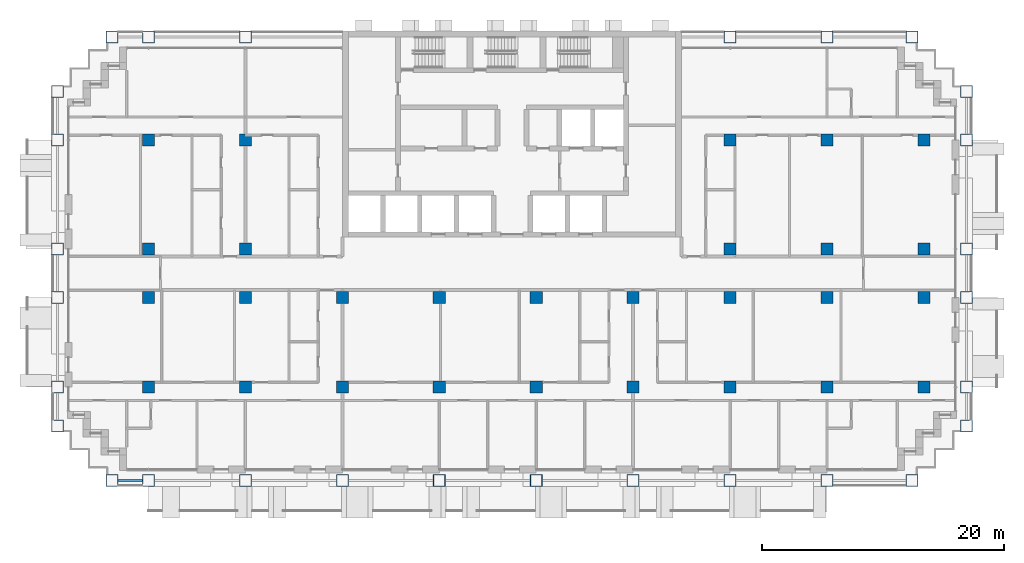
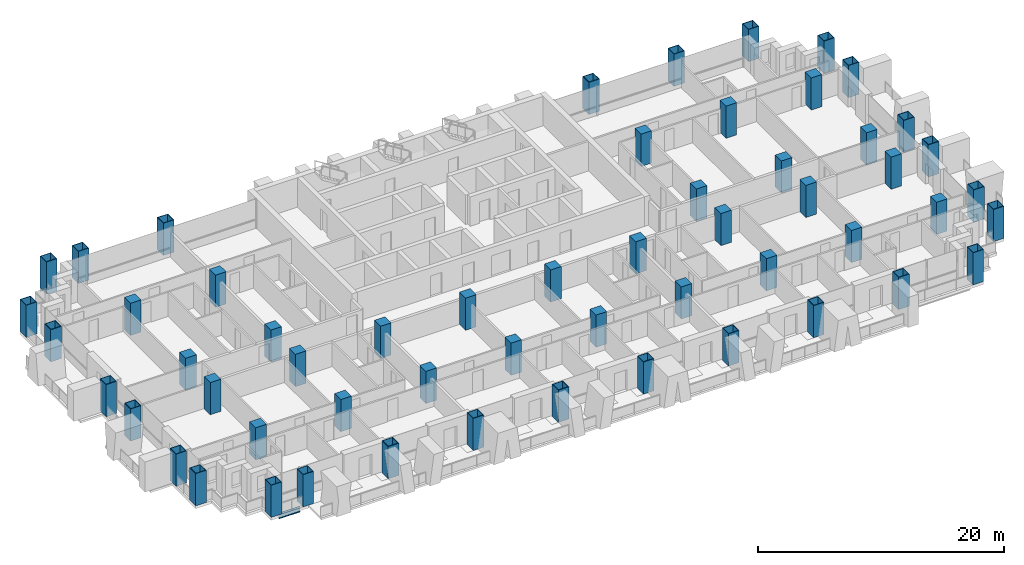
# One storey, part 1 of 18: 56 columns, 1 beam.
"""IFC4 building model written with IfcOpenShell, lengths in metres."""

from ifc_helpers import new_model, si_unit, direction, frame, origin, origin_2d, place, context, subcontext, project, spatial, rectangle, hollow_rectangle, i_section, extrude, material, material_profile, profile_set, type_object, element, save


model = new_model("IFC4")

# Units and contexts
model_context = context("Model", 3, precision=1e-05, world=origin(), true_north=direction((0.0, 1.0)))
body_context = subcontext(model_context, "Body", "Model", "MODEL_VIEW")
ifc_project = project(units=[si_unit("LENGTHUNIT", "METRE"), si_unit("AREAUNIT", "SQUARE_METRE"), si_unit("VOLUMEUNIT", "CUBIC_METRE"), si_unit("PLANEANGLEUNIT", "RADIAN"), si_unit("MASSUNIT", "GRAM", prefix="KILO")], contexts=[model_context])

# Site, building, storey
site_placement = place(None, origin())
site = spatial("IfcSite", under=ifc_project, at=site_placement, CompositionType="ELEMENT")
building_placement = place(site_placement, origin())
building = spatial("IfcBuilding", under=site, at=building_placement, Name="Vidyagriha Tower", CompositionType="ELEMENT")
storey_placement = place(building_placement, frame((0.0, 0.0, 51.199951171875)))
storey = spatial("IfcBuildingStorey", under=building, at=storey_placement, Name="L13", CompositionType="ELEMENT", Elevation=51.199951171875)

# Columns
ifc_material_1 = material(Name="Steel ASTM A572 Grade 50", Category="steel")
ifc_material_profile_1 = material_profile(ifc_material_1, hollow_rectangle(XDim=1.0, YDim=1.0, WallThickness=0.050048828125, at=origin_2d()), Name="BOX 1000x1000x50")
ifc_profile_set_1 = profile_set([ifc_material_profile_1], Name="Steel ASTM A572 Grade 50")
column_type_1 = type_object("IfcColumnType", Name="Exoskeleton column BOX 1000x1000x50", PredefinedType="COLUMN", material=ifc_profile_set_1)
for number, where, name in (
    (1, (-33.0, -17.10009765625, 0.0), "st-col-L13-B1-001"),
    (2, (-30.0, -17.10009765625, 0.0), "st-col-L13-B1-002"),
    (3, (-22.0, -17.10009765625, 0.0), "st-col-L13-B1-003"),
    (4, (-14.0, -17.10009765625, 0.0), "st-col-L13-B1-004"),
    (5, (-6.0, -17.10009765625, 0.0), "st-col-L13-B1-005"),
    (6, (2.0, -17.10009765625, 0.0), "st-col-L13-B1-006"),
    (7, (10.0, -17.10009765625, 0.0), "st-col-L13-B1-007"),
    (8, (18.0, -17.10009765625, 0.0), "st-col-L13-B1-008"),
    (9, (26.0, -17.10009765625, 0.0), "st-col-L13-B1-009"),
    (10, (33.0, -17.10009765625, 0.0), "st-col-L13-B1-010"),
    (11, (-37.5, -12.60009765625, 0.0), "st-col-L13-B1-011"),
    (12, (37.5, -12.60009765625, 0.0), "st-col-L13-B1-012"),
    (13, (-37.5, -9.39990234375, 0.0), "st-col-L13-B1-013"),
    (14, (37.5, -9.39990234375, 0.0), "st-col-L13-B1-023"),
    (15, (-37.5, -2.0, 0.0), "st-col-L13-B1-024"),
    (16, (37.5, -2.0, 0.0), "st-col-L13-B1-034"),
    (17, (-37.5, 2.0, 0.0), "st-col-L13-B1-035"),
    (18, (37.5, 2.0, 0.0), "st-col-L13-B1-041"),
    (19, (-37.5, 11.0, 0.0), "st-col-L13-B1-042"),
    (20, (37.5, 11.0, 0.0), "st-col-L13-B1-048"),
    (21, (-37.5, 15.0, 0.0), "st-col-L13-B1-049"),
    (22, (37.5, 15.0, 0.0), "st-col-L13-B1-050"),
    (23, (-33.0, 19.5, 0.0), "st-col-L13-B1-051"),
    (24, (-30.0, 19.5, 0.0), "st-col-L13-B1-052"),
    (25, (-22.0, 19.5, 0.0), "st-col-L13-B1-053"),
    (26, (18.0, 19.5, 0.0), "st-col-L13-B1-054"),
    (27, (26.0, 19.5, 0.0), "st-col-L13-B1-055"),
    (28, (33.0, 19.5, 0.0), "st-col-L13-B1-056"),
):
    element("IfcColumn", number, at=place(storey_placement, frame(where)), inside=storey, type_object=column_type_1, Name=name, PredefinedType="COLUMN", context=body_context, shape_type="SweptSolid", body=[
        extrude(hollow_rectangle(XDim=1.0, YDim=1.0, WallThickness=0.050048828125, at=origin_2d()), origin(), (0.0, 0.0, 1.0), 3.199951171875),
    ])
ifc_material_2 = material(Name="Concrete C80/95", Category="concrete")
ifc_material_profile_2 = material_profile(ifc_material_2, rectangle(XDim=1.0, YDim=1.0, at=origin_2d()), Name="RC 1000x1000")
ifc_profile_set_2 = profile_set([ifc_material_profile_2], Name="Concrete C80/95")
column_type_2 = type_object("IfcColumnType", Name="Frame column RC 1000x1000", PredefinedType="COLUMN", material=ifc_profile_set_2)
for number, where, name in (
    (29, (-30.0, -9.39990234375, 0.0), "st-col-L13-B1-014"),
    (30, (-22.0, -9.39990234375, 0.0), "st-col-L13-B1-015"),
    (31, (-14.0, -9.39990234375, 0.0), "st-col-L13-B1-016"),
    (32, (-6.0, -9.39990234375, 0.0), "st-col-L13-B1-017"),
    (33, (2.0, -9.39990234375, 0.0), "st-col-L13-B1-018"),
    (34, (10.0, -9.39990234375, 0.0), "st-col-L13-B1-019"),
    (35, (18.0, -9.39990234375, 0.0), "st-col-L13-B1-020"),
    (36, (26.0, -9.39990234375, 0.0), "st-col-L13-B1-021"),
    (37, (34.0, -9.39990234375, 0.0), "st-col-L13-B1-022"),
    (38, (-30.0, -2.0, 0.0), "st-col-L13-B1-025"),
    (39, (-22.0, -2.0, 0.0), "st-col-L13-B1-026"),
    (40, (-14.0, -2.0, 0.0), "st-col-L13-B1-027"),
    (41, (-6.0, -2.0, 0.0), "st-col-L13-B1-028"),
    (42, (2.0, -2.0, 0.0), "st-col-L13-B1-029"),
    (43, (10.0, -2.0, 0.0), "st-col-L13-B1-030"),
    (44, (18.0, -2.0, 0.0), "st-col-L13-B1-031"),
    (45, (26.0, -2.0, 0.0), "st-col-L13-B1-032"),
    (46, (34.0, -2.0, 0.0), "st-col-L13-B1-033"),
    (47, (-30.0, 2.0, 0.0), "st-col-L13-B1-036"),
    (48, (-22.0, 2.0, 0.0), "st-col-L13-B1-037"),
    (49, (18.0, 2.0, 0.0), "st-col-L13-B1-038"),
    (50, (26.0, 2.0, 0.0), "st-col-L13-B1-039"),
    (51, (34.0, 2.0, 0.0), "st-col-L13-B1-040"),
    (52, (-30.0, 11.0, 0.0), "st-col-L13-B1-043"),
    (53, (-22.0, 11.0, 0.0), "st-col-L13-B1-044"),
    (54, (18.0, 11.0, 0.0), "st-col-L13-B1-045"),
    (55, (26.0, 11.0, 0.0), "st-col-L13-B1-046"),
    (56, (34.0, 11.0, 0.0), "st-col-L13-B1-047"),
):
    element("IfcColumn", number, at=place(storey_placement, frame(where)), inside=storey, type_object=column_type_2, Name=name, PredefinedType="COLUMN", context=body_context, shape_type="SweptSolid", body=[
        extrude(rectangle(XDim=1.0, YDim=1.0, at=origin_2d()), origin(), (0.0, 0.0, 1.0), 3.199951171875),
    ])

# Beam
ifc_material_3 = material(Name="Steel ASTM A992 Grade 50", Category="steel")
ifc_material_profile_3 = material_profile(ifc_material_3, i_section(OverallWidth=0.19189453125, OverallDepth=0.46240234375, WebThickness=0.010498046875, FlangeThickness=0.017578125, at=origin_2d()), Name="W18X60")
ifc_profile_set_3 = profile_set([ifc_material_profile_3], Name="Steel ASTM A992 Grade 50")
beam_type = type_object("IfcBeamType", Name="Edge beam W18X60", PredefinedType="SPANDREL", material=ifc_profile_set_3)
beam_placement = place(storey_placement, frame((-32.5, -17.10009765625, -0.510986328125), z_axis=(1.0, 0.0, 0.0), x_axis=(0.0, 1.0, 0.0)))
element("IfcBeam", 57, at=beam_placement, inside=storey, type_object=beam_type, Name="st-beam-L13-S01", PredefinedType="SPANDREL", context=body_context, shape_type="SweptSolid", body=[
    extrude(i_section(OverallWidth=0.19189453125, OverallDepth=0.46240234375, WebThickness=0.010498046875, FlangeThickness=0.017578125, at=origin_2d()), origin(), (0.0, 0.0, 1.0), 2.0),
])

save(model, "model.ifc")
